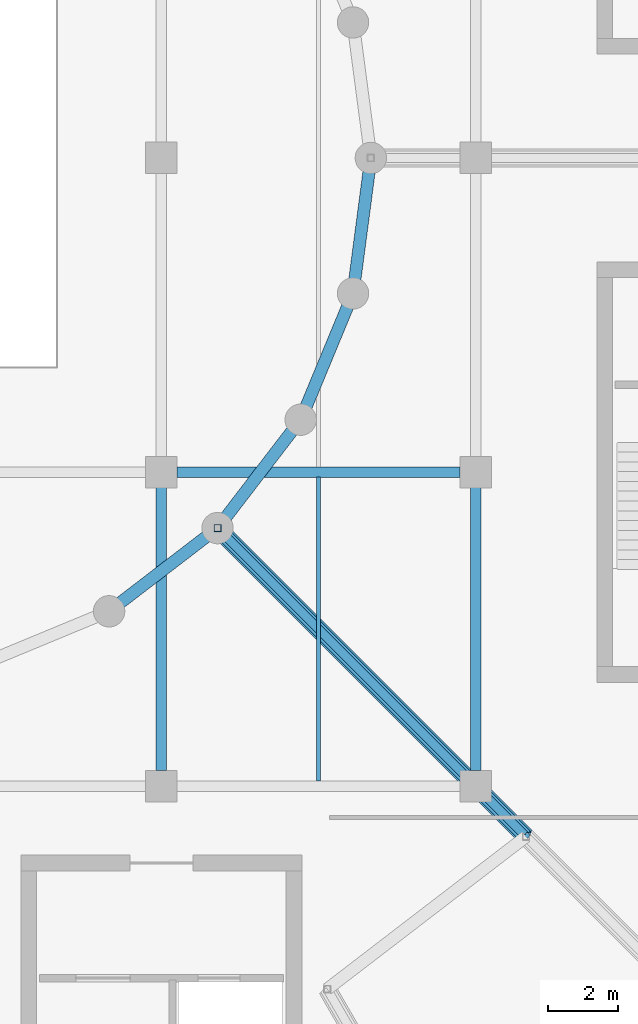
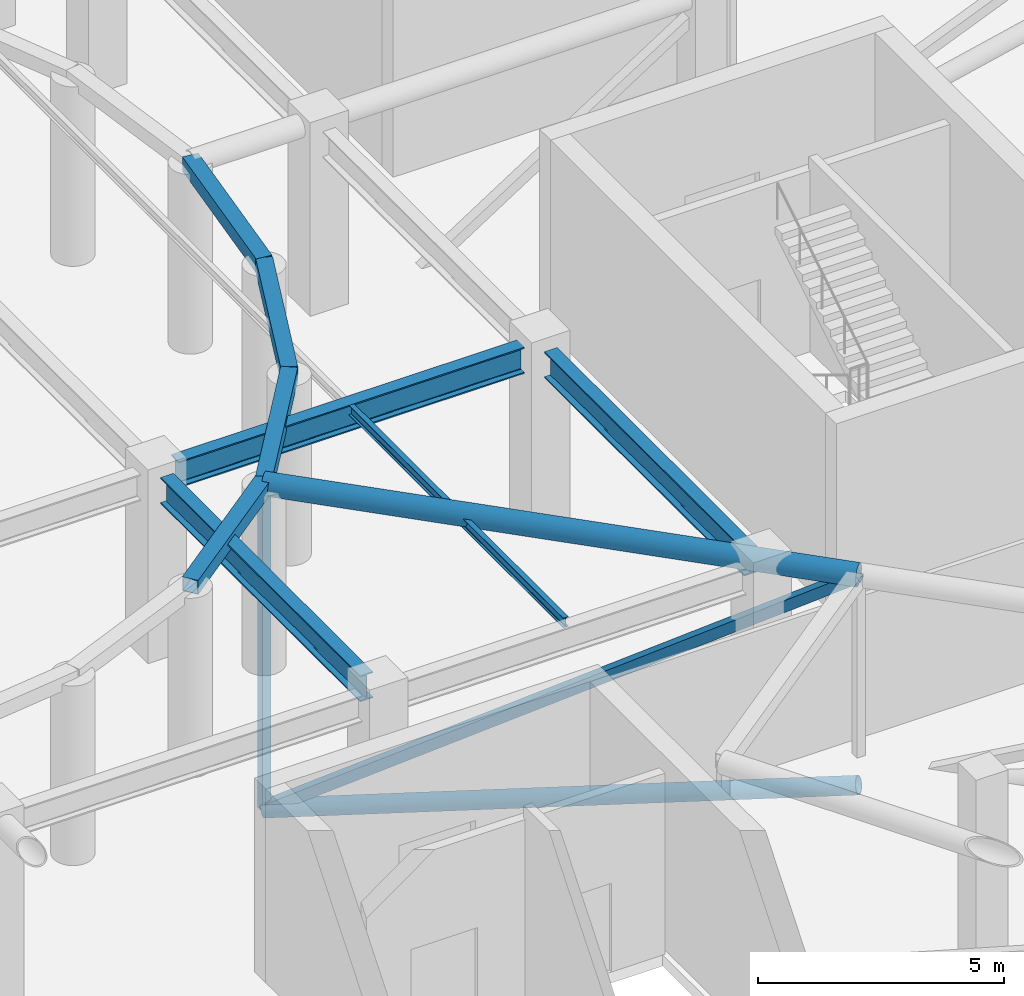
# One storey, part 68 of 167: 8 members, 4 beams.
"""IFC4 building model written with IfcOpenShell, lengths in metres."""

from ifc_helpers import new_model, si_unit, direction, frame, origin, origin_2d, place, context, subcontext, project, spatial, hollow_rectangle, hollow_circle, i_section, extrude, material, material_profile, profile_set, type_object, element, save


model = new_model("IFC4")

# Units and contexts
model_context = context("Model", 3, precision=1e-05, world=origin(), true_north=direction((0.0, 1.0)))
body_context = subcontext(model_context, "Body", "Model", "MODEL_VIEW")
ifc_project = project(units=[si_unit("LENGTHUNIT", "METRE"), si_unit("AREAUNIT", "SQUARE_METRE"), si_unit("VOLUMEUNIT", "CUBIC_METRE"), si_unit("PLANEANGLEUNIT", "RADIAN"), si_unit("MASSUNIT", "GRAM", prefix="KILO")], contexts=[model_context])

# Site, building, storey
site_placement = place(None, origin())
site = spatial("IfcSite", under=ifc_project, at=site_placement, CompositionType="ELEMENT")
building_placement = place(site_placement, origin())
building = spatial("IfcBuilding", under=site, at=building_placement, Name="Dornveld Trade and Exhibition Forum", CompositionType="ELEMENT")
storey_placement = place(building_placement, frame((0.0, 0.0, 16.800048828125)))
storey = spatial("IfcBuildingStorey", under=building, at=storey_placement, Name="L03", CompositionType="ELEMENT", Elevation=16.800048828125)

# Beams
ifc_material_1 = material(Name="Steel S355J2", Category="steel")
ifc_material_profile_1 = material_profile(ifc_material_1, i_section(OverallWidth=0.300048828125, OverallDepth=0.64990234375, WebThickness=0.01611328125, FlangeThickness=0.031005859375, FilletRadius=0.027099609375, at=origin_2d()), Name="HEB 650")
ifc_profile_set_1 = profile_set([ifc_material_profile_1], Name="Steel S355J2")
beam_type_1 = type_object("IfcBeamType", Name="BM-GIR-HEB650", PredefinedType="USERDEFINED", material=ifc_profile_set_1)
for number, where, z_axis, x_axis, name in (
    (1, (126.446044921875, 72.0, 4.18505859375), (1.0, 0.0, 0.0), (0.0, 1.0, 0.0), "L03 X-girder 1656"),
    (2, (126.0, 63.446044921875, 4.18505859375), (0.0, 1.0, 0.0), (-1.0, 0.0, 0.0), "L03 Y-girder 1664"),
    (3, (135.0, 63.446044921875, 4.15283203125), (0.0, 1.0, 0.0), (-1.0, 0.0, 0.0), "L03 Y-girder 1666"),
):
    element("IfcBeam", number, at=place(storey_placement, frame(where, z_axis=z_axis, x_axis=x_axis)), inside=storey, type_object=beam_type_1, Name=name, ObjectType="GIRDER", PredefinedType="USERDEFINED", context=body_context, shape_type="SweptSolid", body=[
        extrude(i_section(OverallWidth=0.300048828125, OverallDepth=0.64990234375, WebThickness=0.01611328125, FlangeThickness=0.031005859375, FilletRadius=0.027099609375, at=origin_2d()), origin(), (0.0, 0.0, 1.0), 8.10791015625),
    ])
ifc_material_2 = material(Name="Steel S355J2", Category="steel")
ifc_material_profile_2 = material_profile(ifc_material_2, i_section(OverallWidth=0.1201171875, OverallDepth=0.239990234375, WebThickness=0.006103515625, FlangeThickness=0.009765625, FilletRadius=0.014892578125, at=origin_2d()), Name="IPE 240")
ifc_profile_set_2 = profile_set([ifc_material_profile_2], Name="Steel S355J2")
beam_type_2 = type_object("IfcBeamType", Name="BM-JOIST-240", PredefinedType="JOIST", material=ifc_profile_set_2)
beam_placement = place(storey_placement, frame((130.5, 63.14697265625, 4.389892578125), z_axis=(0.0, 1.0, 0.0), x_axis=(-1.0, 0.0, 0.0)))
element("IfcBeam", 4, at=beam_placement, inside=storey, type_object=beam_type_2, Name="L03 secondary joist 1672", PredefinedType="JOIST", context=body_context, shape_type="SweptSolid", body=[
    extrude(i_section(OverallWidth=0.1201171875, OverallDepth=0.239990234375, WebThickness=0.006103515625, FlangeThickness=0.009765625, FilletRadius=0.014892578125, at=origin_2d()), origin(), (0.0, 0.0, 1.0), 8.7060546875),
])

# Members
ifc_material_3 = material(Name="Steel S355J2", Category="steel")
ifc_material_profile_3 = material_profile(ifc_material_3, hollow_circle(Radius=0.203125, WallThickness=0.02001953125, at=origin_2d()), Name="CHS 406.4x20")
ifc_profile_set_3 = profile_set([ifc_material_profile_3], Name="Steel S355J2")
member_type_1 = type_object("IfcMemberType", Name="MEM-DISC-BC", PredefinedType="CHORD", material=ifc_profile_set_3)
member_1_placement = place(storey_placement, frame((127.606689453125, 70.393310546875, -3.60009765625), z_axis=(0.689558212158, -0.689558212158, 0.221402222416), x_axis=(0.707106781187, 0.707106781187, 0.0)))
element("IfcMember", 5, at=member_1_placement, inside=storey, type_object=member_type_1, Name="Roof disc radial R22 conical bottom chord 1", PredefinedType="CHORD", context=body_context, shape_type="SweptSolid", body=[
    extrude(hollow_circle(Radius=0.203125, WallThickness=0.02001953125, at=origin_2d()), origin(), (0.0, 0.0, 1.0), 12.81787109375),
])
ifc_material_4 = material(Name="Steel S355J2", Category="steel")
ifc_material_profile_4 = material_profile(ifc_material_4, hollow_rectangle(XDim=0.35009765625, YDim=0.35009765625, WallThickness=0.01611328125, at=origin_2d()), Name="SHS 350x350x16")
ifc_profile_set_4 = profile_set([ifc_material_profile_4], Name="Steel S355J2")
member_type_2 = type_object("IfcMemberType", Name="MEM-DISC-RING", PredefinedType="CHORD", material=ifc_profile_set_4)
for number, where, z_axis, x_axis, name in (
    (6, (124.5, 68.009521484375, 4.449951171875), (0.793360444108, 0.608752171023, 0.0), (-0.608752171023, 0.793360444108, 0.0), "Roof disc ring 1 chord 21"),
    (7, (127.606689453125, 70.393310546875, 4.449951171875), (0.608752171023, 0.793360444108, 0.0), (-0.793360444108, 0.608752171023, 0.0), "Roof disc ring 1 chord 22"),
    (8, (129.990478515625, 73.5, 4.449951171875), (0.382693194178, 0.923875488976, 0.0), (-0.923875488976, 0.382693194178, 0.0), "Roof disc ring 1 chord 23"),
    (9, (131.489013671875, 77.11767578125, 4.449951171875), (0.130493219672, 0.991449201734, 0.0), (-0.991449201734, 0.130493219672, 0.0), "Roof disc ring 1 chord 24"),
):
    element("IfcMember", number, at=place(storey_placement, frame(where, z_axis=z_axis, x_axis=x_axis)), inside=storey, type_object=member_type_2, Name=name, PredefinedType="CHORD", context=body_context, shape_type="SweptSolid", body=[
        extrude(hollow_rectangle(XDim=0.35009765625, YDim=0.35009765625, WallThickness=0.01611328125, at=origin_2d()), origin(), (0.0, 0.0, 1.0), 3.915771484375),
    ])
ifc_material_5 = material(Name="Steel S355J2", Category="steel")
ifc_material_profile_5 = material_profile(ifc_material_5, hollow_rectangle(XDim=0.199951171875, YDim=0.199951171875, WallThickness=0.010009765625, at=origin_2d()), Name="SHS 200x200x10")
ifc_profile_set_5 = profile_set([ifc_material_profile_5], Name="Steel S355J2")
member_type_3 = type_object("IfcMemberType", Name="MEM-DISC-STR", PredefinedType="STRUT", material=ifc_profile_set_5)
member_2_placement = place(storey_placement, frame((127.606689453125, 70.393310546875, -3.60009765625), z_axis=(0.0, 0.0, 1.0), x_axis=(1.0, 0.0, 0.0)))
element("IfcMember", 10, at=member_2_placement, inside=storey, type_object=member_type_3, Name="Roof disc radial R22 strut 1", PredefinedType="STRUT", context=body_context, shape_type="SweptSolid", body=[
    extrude(hollow_rectangle(XDim=0.199951171875, YDim=0.199951171875, WallThickness=0.010009765625, at=origin_2d()), origin(), (0.0, 0.0, 1.0), 8.050048828125),
])
ifc_material_6 = material(Name="Steel S355J2", Category="steel")
ifc_material_profile_6 = material_profile(ifc_material_6, hollow_circle(Radius=0.25390625, WallThickness=0.02490234375, at=origin_2d()), Name="CHS 508x25")
ifc_profile_set_6 = profile_set([ifc_material_profile_6], Name="Steel S355J2")
member_type_4 = type_object("IfcMemberType", Name="MEM-DISC-TC", PredefinedType="CHORD", material=ifc_profile_set_6)
member_3_placement = place(storey_placement, frame((127.606689453125, 70.393310546875, 4.449951171875), z_axis=(0.707106781187, -0.707106781187, 0.0), x_axis=(0.707106781187, 0.707106781187, 0.0)))
element("IfcMember", 11, at=member_3_placement, inside=storey, type_object=member_type_4, Name="Roof disc radial R22 top chord 1", PredefinedType="CHORD", context=body_context, shape_type="SweptSolid", body=[
    extrude(hollow_circle(Radius=0.25390625, WallThickness=0.02490234375, at=origin_2d()), origin(), (0.0, 0.0, 1.0), 12.499755859375),
])
ifc_material_7 = material(Name="Steel S355J2", Category="steel")
ifc_material_profile_7 = material_profile(ifc_material_7, hollow_rectangle(XDim=0.25, YDim=0.25, WallThickness=0.012451171875, at=origin_2d()), Name="SHS 250x250x12.5")
ifc_profile_set_7 = profile_set([ifc_material_profile_7], Name="Steel S355J2")
member_type_5 = type_object("IfcMemberType", Name="MEM-DISC-WEB", PredefinedType="BRACE", material=ifc_profile_set_7)
member_4_placement = place(storey_placement, frame((127.606689453125, 70.393310546875, -3.60009765625), z_axis=(0.594488527183, -0.594488527183, 0.541448780676), x_axis=(0.707106781187, 0.707106781187, 0.0)))
element("IfcMember", 12, at=member_4_placement, inside=storey, type_object=member_type_5, Name="Roof disc radial R22 web 1", PredefinedType="BRACE", context=body_context, shape_type="SweptSolid", body=[
    extrude(hollow_rectangle(XDim=0.25, YDim=0.25, WallThickness=0.012451171875, at=origin_2d()), origin(), (0.0, 0.0, 1.0), 14.86767578125),
])

save(model, "model.ifc")
